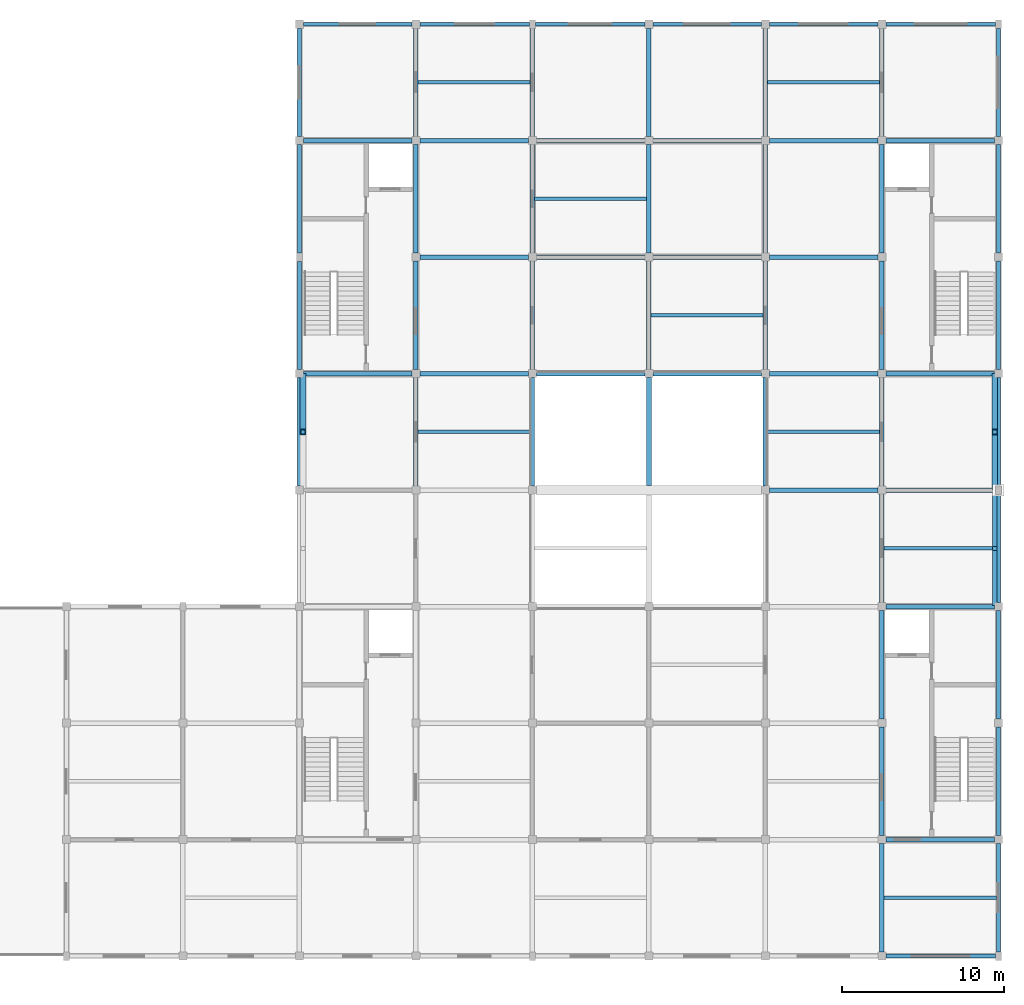
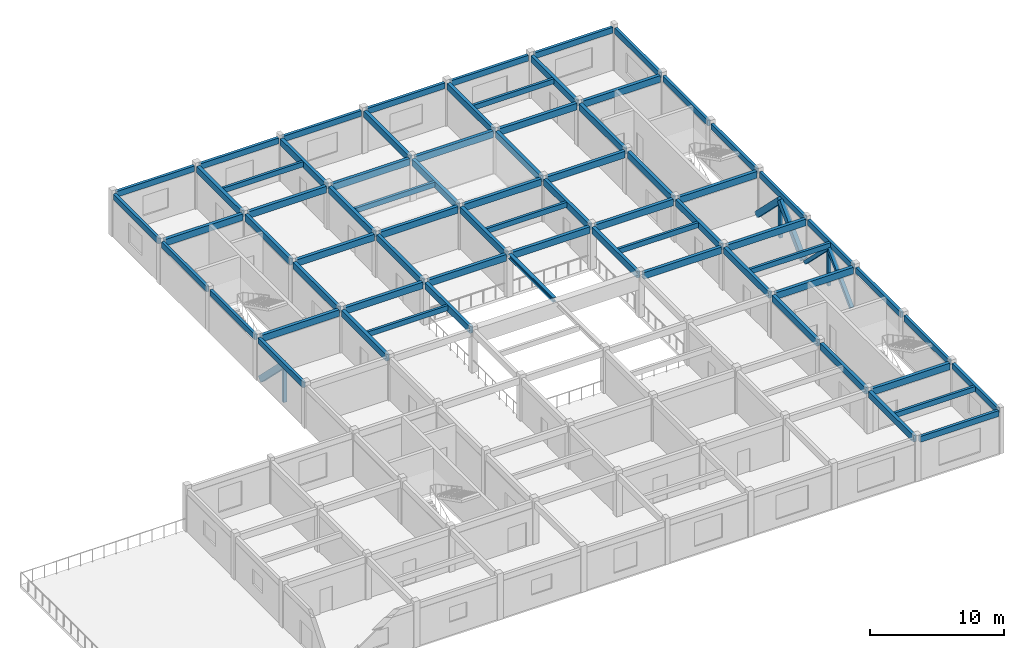
# One storey, part 2 of 7: 71 beams, 8 members.
"""IFC4 building model written with IfcOpenShell, lengths in metres."""

from ifc_helpers import new_model, si_unit, direction, frame, origin, origin_2d, place, context, subcontext, project, spatial, rectangle, i_section, extrude, material, material_profile, profile_set, type_object, element, save


model = new_model("IFC4")

# Units and contexts
model_context = context("Model", 3, precision=1e-05, world=origin(), true_north=direction((0.0, 1.0)))
body_context = subcontext(model_context, "Body", "Model", "MODEL_VIEW")
ifc_project = project(units=[si_unit("LENGTHUNIT", "METRE"), si_unit("AREAUNIT", "SQUARE_METRE"), si_unit("VOLUMEUNIT", "CUBIC_METRE"), si_unit("PLANEANGLEUNIT", "RADIAN"), si_unit("MASSUNIT", "GRAM", prefix="KILO")], contexts=[model_context])

# Site, building, storey
site_placement = place(None, origin())
site = spatial("IfcSite", under=ifc_project, at=site_placement, CompositionType="ELEMENT")
building_placement = place(site_placement, origin())
building = spatial("IfcBuilding", under=site, at=building_placement, Name="Cendaluz Park School", CompositionType="ELEMENT")
storey_placement = place(building_placement, frame((0.0, 0.0, 46.800048828125)))
storey = spatial("IfcBuildingStorey", under=building, at=storey_placement, Name="L11", CompositionType="ELEMENT", Elevation=46.800048828125)

# Beams
ifc_material_1 = material(Name="Glulam GL28h", Category="wood")
ifc_material_profile_1 = material_profile(ifc_material_1, rectangle(XDim=0.280029296875, YDim=0.60009765625, at=origin_2d()), Name="GL28h 280x600", Category="wood")
ifc_profile_set_1 = profile_set([ifc_material_profile_1], Name="Glulam GL28h")
beam_type_1 = type_object("IfcBeamType", Name="BM-GL02", PredefinedType="BEAM", material=ifc_profile_set_1)
for number, where, z_axis, x_axis, name in (
    (1, (65.050048828125, 43.199951171875, 3.58984375), (1.0, 0.0, 0.0), (0.0, 1.0, 0.0), "BM-L11-BMGL02-0013"),
    (2, (65.050048828125, 57.60009765625, 3.58984375), (1.0, 0.0, 0.0), (0.0, 1.0, 0.0), "BM-L11-BMGL02-0014"),
    (3, (72.25, 43.199951171875, 3.58984375), (1.0, 0.0, 0.0), (0.0, 1.0, 0.0), "BM-L11-BMGL02-0021"),
    (4, (72.25, 50.39990234375, 3.58984375), (1.0, 0.0, 0.0), (0.0, 1.0, 0.0), "BM-L11-BMGL02-0022"),
    (5, (72.25, 57.60009765625, 3.58984375), (1.0, 0.0, 0.0), (0.0, 1.0, 0.0), "BM-L11-BMGL02-0023"),
    (6, (79.449951171875, 43.199951171875, 3.58984375), (1.0, 0.0, 0.0), (0.0, 1.0, 0.0), "BM-L11-BMGL02-0029"),
    (7, (79.449951171875, 50.39990234375, 3.58984375), (1.0, 0.0, 0.0), (0.0, 1.0, 0.0), "BM-L11-BMGL02-0030"),
    (8, (79.449951171875, 57.60009765625, 3.58984375), (1.0, 0.0, 0.0), (0.0, 1.0, 0.0), "BM-L11-BMGL02-0031"),
):
    element("IfcBeam", number, at=place(storey_placement, frame(where, z_axis=z_axis, x_axis=x_axis)), inside=storey, type_object=beam_type_1, Name=name, PredefinedType="BEAM", context=body_context, shape_type="SweptSolid", body=[
        extrude(rectangle(XDim=0.280029296875, YDim=0.60009765625, at=origin_2d()), origin(), (0.0, 0.0, 1.0), 6.699951171875),
    ])
for number, where, z_axis, x_axis, name in (
    (9, (86.64990234375, 43.199951171875, 3.58984375), (1.0, 0.0, 0.0), (0.0, 1.0, 0.0), "BM-L11-BMGL02-0037"),
    (10, (86.64990234375, 50.39990234375, 3.58984375), (1.0, 0.0, 0.0), (0.0, 1.0, 0.0), "BM-L11-BMGL02-0038"),
    (11, (86.64990234375, 57.60009765625, 3.58984375), (1.0, 0.0, 0.0), (0.0, 1.0, 0.0), "BM-L11-BMGL02-0039"),
):
    element("IfcBeam", number, at=place(storey_placement, frame(where, z_axis=z_axis, x_axis=x_axis)), inside=storey, type_object=beam_type_1, Name=name, PredefinedType="BEAM", context=body_context, shape_type="SweptSolid", body=[
        extrude(rectangle(XDim=0.280029296875, YDim=0.60009765625, at=origin_2d()), origin(), (0.0, 0.0, 1.0), 6.7001953125),
    ])
for number, where, z_axis, x_axis, name in (
    (12, (93.85009765625, 36.0, 3.58984375), (1.0, 0.0, 0.0), (0.0, 1.0, 0.0), "BM-L11-BMGL02-0045"),
    (13, (93.85009765625, 43.199951171875, 3.58984375), (1.0, 0.0, 0.0), (0.0, 1.0, 0.0), "BM-L11-BMGL02-0046"),
    (14, (93.85009765625, 50.39990234375, 3.58984375), (1.0, 0.0, 0.0), (0.0, 1.0, 0.0), "BM-L11-BMGL02-0047"),
    (15, (93.85009765625, 57.60009765625, 3.58984375), (1.0, 0.0, 0.0), (0.0, 1.0, 0.0), "BM-L11-BMGL02-0048"),
    (16, (101.050048828125, 14.39990234375, 3.58984375), (1.0, 0.0, 0.0), (0.0, 1.0, 0.0), "BM-L11-BMGL02-0051"),
    (17, (101.050048828125, 28.800048828125, 3.58984375), (1.0, 0.0, 0.0), (0.0, 1.0, 0.0), "BM-L11-BMGL02-0052"),
):
    element("IfcBeam", number, at=place(storey_placement, frame(where, z_axis=z_axis, x_axis=x_axis)), inside=storey, type_object=beam_type_1, Name=name, PredefinedType="BEAM", context=body_context, shape_type="SweptSolid", body=[
        extrude(rectangle(XDim=0.280029296875, YDim=0.60009765625, at=origin_2d()), origin(), (0.0, 0.0, 1.0), 6.699951171875),
    ])
beam_1_placement = place(storey_placement, frame((101.050048828125, 36.0, 3.58984375), z_axis=(1.0, 0.0, 0.0), x_axis=(0.0, 1.0, 0.0)))
element("IfcBeam", 18, at=beam_1_placement, inside=storey, type_object=beam_type_1, Name="BM-L11-BMGL02-0053", PredefinedType="BEAM", context=body_context, shape_type="SweptSolid", body=[
    extrude(rectangle(XDim=0.280029296875, YDim=0.60009765625, at=origin_2d()), origin(), (0.0, 0.0, 1.0), 6.77001953125),
])
for number, where, z_axis, x_axis, name in (
    (19, (101.050048828125, 43.199951171875, 3.58984375), (1.0, 0.0, 0.0), (0.0, 1.0, 0.0), "BM-L11-BMGL02-0054"),
    (20, (101.050048828125, 57.60009765625, 3.58984375), (1.0, 0.0, 0.0), (0.0, 1.0, 0.0), "BM-L11-BMGL02-0055"),
    (21, (72.0, 36.25, 3.58984375), (0.0, 1.0, 0.0), (-1.0, 0.0, 0.0), "BM-L11-BMGL02-0075"),
    (22, (72.0, 43.449951171875, 3.58984375), (0.0, 1.0, 0.0), (-1.0, 0.0, 0.0), "BM-L11-BMGL02-0076"),
):
    element("IfcBeam", number, at=place(storey_placement, frame(where, z_axis=z_axis, x_axis=x_axis)), inside=storey, type_object=beam_type_1, Name=name, PredefinedType="BEAM", context=body_context, shape_type="SweptSolid", body=[
        extrude(rectangle(XDim=0.280029296875, YDim=0.60009765625, at=origin_2d()), origin(), (0.0, 0.0, 1.0), 6.699951171875),
    ])
beam_2_placement = place(storey_placement, frame((72.0, 50.64990234375, 3.58984375), z_axis=(0.0, 1.0, 0.0), x_axis=(-1.0, 0.0, 0.0)))
element("IfcBeam", 23, at=beam_2_placement, inside=storey, type_object=beam_type_1, Name="BM-L11-BMGL02-0077", PredefinedType="BEAM", context=body_context, shape_type="SweptSolid", body=[
    extrude(rectangle(XDim=0.280029296875, YDim=0.60009765625, at=origin_2d()), origin(), (0.0, 0.0, 1.0), 6.7001953125),
])
for number, where, z_axis, x_axis, name in (
    (24, (72.0, 57.85009765625, 3.58984375), (0.0, 1.0, 0.0), (-1.0, 0.0, 0.0), "BM-L11-BMGL02-0078"),
    (25, (79.199951171875, 36.25, 3.58984375), (0.0, 1.0, 0.0), (-1.0, 0.0, 0.0), "BM-L11-BMGL02-0083"),
    (26, (79.199951171875, 43.449951171875, 3.58984375), (0.0, 1.0, 0.0), (-1.0, 0.0, 0.0), "BM-L11-BMGL02-0084"),
):
    element("IfcBeam", number, at=place(storey_placement, frame(where, z_axis=z_axis, x_axis=x_axis)), inside=storey, type_object=beam_type_1, Name=name, PredefinedType="BEAM", context=body_context, shape_type="SweptSolid", body=[
        extrude(rectangle(XDim=0.280029296875, YDim=0.60009765625, at=origin_2d()), origin(), (0.0, 0.0, 1.0), 6.699951171875),
    ])
beam_3_placement = place(storey_placement, frame((79.199951171875, 50.64990234375, 3.58984375), z_axis=(0.0, 1.0, 0.0), x_axis=(-1.0, 0.0, 0.0)))
element("IfcBeam", 27, at=beam_3_placement, inside=storey, type_object=beam_type_1, Name="BM-L11-BMGL02-0085", PredefinedType="BEAM", context=body_context, shape_type="SweptSolid", body=[
    extrude(rectangle(XDim=0.280029296875, YDim=0.60009765625, at=origin_2d()), origin(), (0.0, 0.0, 1.0), 6.7001953125),
])
beam_4_placement = place(storey_placement, frame((79.199951171875, 57.85009765625, 3.58984375), z_axis=(0.0, 1.0, 0.0), x_axis=(-1.0, 0.0, 0.0)))
element("IfcBeam", 28, at=beam_4_placement, inside=storey, type_object=beam_type_1, Name="BM-L11-BMGL02-0086", PredefinedType="BEAM", context=body_context, shape_type="SweptSolid", body=[
    extrude(rectangle(XDim=0.280029296875, YDim=0.60009765625, at=origin_2d()), origin(), (0.0, 0.0, 1.0), 6.68994140625),
])
beam_5_placement = place(storey_placement, frame((86.39990234375, 43.449951171875, 3.58984375), z_axis=(0.0, 1.0, 0.0), x_axis=(-1.0, 0.0, 0.0)))
element("IfcBeam", 29, at=beam_5_placement, inside=storey, type_object=beam_type_1, Name="BM-L11-BMGL02-0090", PredefinedType="BEAM", context=body_context, shape_type="SweptSolid", body=[
    extrude(rectangle(XDim=0.280029296875, YDim=0.60009765625, at=origin_2d()), origin(), (0.0, 0.0, 1.0), 6.699951171875),
])
beam_6_placement = place(storey_placement, frame((86.39990234375, 50.64990234375, 3.58984375), z_axis=(0.0, 1.0, 0.0), x_axis=(-1.0, 0.0, 0.0)))
element("IfcBeam", 30, at=beam_6_placement, inside=storey, type_object=beam_type_1, Name="BM-L11-BMGL02-0091", PredefinedType="BEAM", context=body_context, shape_type="SweptSolid", body=[
    extrude(rectangle(XDim=0.280029296875, YDim=0.60009765625, at=origin_2d()), origin(), (0.0, 0.0, 1.0), 6.7001953125),
])
for number, where, z_axis, x_axis, name in (
    (31, (86.39990234375, 57.85009765625, 3.58984375), (0.0, 1.0, 0.0), (-1.0, 0.0, 0.0), "BM-L11-BMGL02-0092"),
    (32, (93.60009765625, 36.25, 3.58984375), (0.0, 1.0, 0.0), (-1.0, 0.0, 0.0), "BM-L11-BMGL02-0097"),
    (33, (93.60009765625, 43.449951171875, 3.58984375), (0.0, 1.0, 0.0), (-1.0, 0.0, 0.0), "BM-L11-BMGL02-0098"),
):
    element("IfcBeam", number, at=place(storey_placement, frame(where, z_axis=z_axis, x_axis=x_axis)), inside=storey, type_object=beam_type_1, Name=name, PredefinedType="BEAM", context=body_context, shape_type="SweptSolid", body=[
        extrude(rectangle(XDim=0.280029296875, YDim=0.60009765625, at=origin_2d()), origin(), (0.0, 0.0, 1.0), 6.699951171875),
    ])
beam_7_placement = place(storey_placement, frame((93.60009765625, 50.64990234375, 3.58984375), z_axis=(0.0, 1.0, 0.0), x_axis=(-1.0, 0.0, 0.0)))
element("IfcBeam", 34, at=beam_7_placement, inside=storey, type_object=beam_type_1, Name="BM-L11-BMGL02-0099", PredefinedType="BEAM", context=body_context, shape_type="SweptSolid", body=[
    extrude(rectangle(XDim=0.280029296875, YDim=0.60009765625, at=origin_2d()), origin(), (0.0, 0.0, 1.0), 6.7001953125),
])
for number, where, z_axis, x_axis, name in (
    (35, (93.60009765625, 57.85009765625, 3.58984375), (0.0, 1.0, 0.0), (-1.0, 0.0, 0.0), "BM-L11-BMGL02-0100"),
    (36, (100.800048828125, 7.449951171875, 3.58984375), (0.0, 1.0, 0.0), (-1.0, 0.0, 0.0), "BM-L11-BMGL02-0101"),
):
    element("IfcBeam", number, at=place(storey_placement, frame(where, z_axis=z_axis, x_axis=x_axis)), inside=storey, type_object=beam_type_1, Name=name, PredefinedType="BEAM", context=body_context, shape_type="SweptSolid", body=[
        extrude(rectangle(XDim=0.280029296875, YDim=0.60009765625, at=origin_2d()), origin(), (0.0, 0.0, 1.0), 6.699951171875),
    ])
beam_8_placement = place(storey_placement, frame((100.800048828125, 14.64990234375, 3.58984375), z_axis=(0.0, 1.0, 0.0), x_axis=(-1.0, 0.0, 0.0)))
element("IfcBeam", 37, at=beam_8_placement, inside=storey, type_object=beam_type_1, Name="BM-L11-BMGL02-0102", PredefinedType="BEAM", context=body_context, shape_type="SweptSolid", body=[
    extrude(rectangle(XDim=0.280029296875, YDim=0.60009765625, at=origin_2d()), origin(), (0.0, 0.0, 1.0), 6.7001953125),
])
for number, where, z_axis, x_axis, name in (
    (38, (100.800048828125, 21.85009765625, 3.58984375), (0.0, 1.0, 0.0), (-1.0, 0.0, 0.0), "BM-L11-BMGL02-0103"),
    (39, (100.800048828125, 29.050048828125, 3.58984375), (0.0, 1.0, 0.0), (-1.0, 0.0, 0.0), "BM-L11-BMGL02-0104"),
    (40, (100.800048828125, 36.25, 3.58984375), (0.0, 1.0, 0.0), (-1.0, 0.0, 0.0), "BM-L11-BMGL02-0105"),
    (41, (100.800048828125, 43.449951171875, 3.58984375), (0.0, 1.0, 0.0), (-1.0, 0.0, 0.0), "BM-L11-BMGL02-0106"),
):
    element("IfcBeam", number, at=place(storey_placement, frame(where, z_axis=z_axis, x_axis=x_axis)), inside=storey, type_object=beam_type_1, Name=name, PredefinedType="BEAM", context=body_context, shape_type="SweptSolid", body=[
        extrude(rectangle(XDim=0.280029296875, YDim=0.60009765625, at=origin_2d()), origin(), (0.0, 0.0, 1.0), 6.699951171875),
    ])
beam_9_placement = place(storey_placement, frame((100.800048828125, 50.64990234375, 3.58984375), z_axis=(0.0, 1.0, 0.0), x_axis=(-1.0, 0.0, 0.0)))
element("IfcBeam", 42, at=beam_9_placement, inside=storey, type_object=beam_type_1, Name="BM-L11-BMGL02-0107", PredefinedType="BEAM", context=body_context, shape_type="SweptSolid", body=[
    extrude(rectangle(XDim=0.280029296875, YDim=0.60009765625, at=origin_2d()), origin(), (0.0, 0.0, 1.0), 6.7001953125),
])
beam_10_placement = place(storey_placement, frame((100.800048828125, 57.85009765625, 3.58984375), z_axis=(0.0, 1.0, 0.0), x_axis=(-1.0, 0.0, 0.0)))
element("IfcBeam", 43, at=beam_10_placement, inside=storey, type_object=beam_type_1, Name="BM-L11-BMGL02-0108", PredefinedType="BEAM", context=body_context, shape_type="SweptSolid", body=[
    extrude(rectangle(XDim=0.280029296875, YDim=0.60009765625, at=origin_2d()), origin(), (0.0, 0.0, 1.0), 6.699951171875),
])
ifc_material_profile_2 = material_profile(ifc_material_1, rectangle(XDim=0.239990234375, YDim=0.52001953125, at=origin_2d()), Name="GL28h 240x520", Category="wood")
ifc_profile_set_2 = profile_set([ifc_material_profile_2], Name="Glulam GL28h")
beam_type_2 = type_object("IfcBeamType", Name="BM-GL03", PredefinedType="SPANDREL", material=ifc_profile_set_2)
beam_11_placement = place(storey_placement, frame((65.050048828125, 64.800048828125, 3.6298828125), z_axis=(1.0, 0.0, 0.0), x_axis=(0.0, 1.0, 0.0)))
element("IfcBeam", 44, at=beam_11_placement, inside=storey, type_object=beam_type_2, Name="BM-L11-BMGL03-0015", PredefinedType="SPANDREL", context=body_context, shape_type="SweptSolid", body=[
    extrude(rectangle(XDim=0.239990234375, YDim=0.52001953125, at=origin_2d()), origin(), (0.0, 0.0, 1.0), 6.699951171875),
])
for number, where, z_axis, x_axis, name in (
    (45, (72.25, 64.800048828125, 3.6298828125), (1.0, 0.0, 0.0), (0.0, 1.0, 0.0), "BM-L11-BMGL03-0024"),
    (46, (79.3798828125, 64.800048828125, 3.6298828125), (1.0, 0.0, 0.0), (0.0, 1.0, 0.0), "BM-L11-BMGL03-0032"),
):
    element("IfcBeam", number, at=place(storey_placement, frame(where, z_axis=z_axis, x_axis=x_axis)), inside=storey, type_object=beam_type_2, Name=name, PredefinedType="SPANDREL", context=body_context, shape_type="SweptSolid", body=[
        extrude(rectangle(XDim=0.239990234375, YDim=0.52001953125, at=origin_2d()), origin(), (0.0, 0.0, 1.0), 6.77001953125),
    ])
beam_12_placement = place(storey_placement, frame((86.64990234375, 64.800048828125, 3.6298828125), z_axis=(1.0, 0.0, 0.0), x_axis=(0.0, 1.0, 0.0)))
element("IfcBeam", 47, at=beam_12_placement, inside=storey, type_object=beam_type_2, Name="BM-L11-BMGL03-0040", PredefinedType="SPANDREL", context=body_context, shape_type="SweptSolid", body=[
    extrude(rectangle(XDim=0.239990234375, YDim=0.52001953125, at=origin_2d()), origin(), (0.0, 0.0, 1.0), 6.7001953125),
])
beam_13_placement = place(storey_placement, frame((93.85009765625, 64.800048828125, 3.6298828125), z_axis=(1.0, 0.0, 0.0), x_axis=(0.0, 1.0, 0.0)))
element("IfcBeam", 48, at=beam_13_placement, inside=storey, type_object=beam_type_2, Name="BM-L11-BMGL03-0049", PredefinedType="SPANDREL", context=body_context, shape_type="SweptSolid", body=[
    extrude(rectangle(XDim=0.239990234375, YDim=0.52001953125, at=origin_2d()), origin(), (0.0, 0.0, 1.0), 6.699951171875),
])
for number, where, z_axis, x_axis, name in (
    (49, (101.050048828125, 7.199951171875, 3.6298828125), (1.0, 0.0, 0.0), (0.0, 1.0, 0.0), "BM-L11-BMGL03-0050"),
    (50, (101.050048828125, 64.800048828125, 3.6298828125), (1.0, 0.0, 0.0), (0.0, 1.0, 0.0), "BM-L11-BMGL03-0056"),
):
    element("IfcBeam", number, at=place(storey_placement, frame(where, z_axis=z_axis, x_axis=x_axis)), inside=storey, type_object=beam_type_2, Name=name, PredefinedType="SPANDREL", context=body_context, shape_type="SweptSolid", body=[
        extrude(rectangle(XDim=0.239990234375, YDim=0.52001953125, at=origin_2d()), origin(), (0.0, 0.0, 1.0), 6.77001953125),
    ])
beam_14_placement = place(storey_placement, frame((64.800048828125, 36.25, 3.6298828125), z_axis=(0.0, 1.0, 0.0), x_axis=(-1.0, 0.0, 0.0)))
element("IfcBeam", 51, at=beam_14_placement, inside=storey, type_object=beam_type_2, Name="BM-L11-BMGL03-0067", PredefinedType="SPANDREL", context=body_context, shape_type="SweptSolid", body=[
    extrude(rectangle(XDim=0.239990234375, YDim=0.52001953125, at=origin_2d()), origin(), (0.0, 0.0, 1.0), 6.699951171875),
])
beam_15_placement = place(storey_placement, frame((64.800048828125, 43.449951171875, 3.6298828125), z_axis=(0.0, 1.0, 0.0), x_axis=(-1.0, 0.0, 0.0)))
element("IfcBeam", 52, at=beam_15_placement, inside=storey, type_object=beam_type_2, Name="BM-L11-BMGL03-0068", PredefinedType="SPANDREL", context=body_context, shape_type="SweptSolid", body=[
    extrude(rectangle(XDim=0.239990234375, YDim=0.52001953125, at=origin_2d()), origin(), (0.0, 0.0, 1.0), 6.68994140625),
])
beam_16_placement = place(storey_placement, frame((64.800048828125, 50.659912109375, 3.6298828125), z_axis=(0.0, 1.0, 0.0), x_axis=(-1.0, 0.0, 0.0)))
element("IfcBeam", 53, at=beam_16_placement, inside=storey, type_object=beam_type_2, Name="BM-L11-BMGL03-0069", PredefinedType="SPANDREL", context=body_context, shape_type="SweptSolid", body=[
    extrude(rectangle(XDim=0.239990234375, YDim=0.52001953125, at=origin_2d()), origin(), (0.0, 0.0, 1.0), 6.690185546875),
])
beam_17_placement = place(storey_placement, frame((64.800048828125, 57.85009765625, 3.6298828125), z_axis=(0.0, 1.0, 0.0), x_axis=(-1.0, 0.0, 0.0)))
element("IfcBeam", 54, at=beam_17_placement, inside=storey, type_object=beam_type_2, Name="BM-L11-BMGL03-0070", PredefinedType="SPANDREL", context=body_context, shape_type="SweptSolid", body=[
    extrude(rectangle(XDim=0.239990234375, YDim=0.52001953125, at=origin_2d()), origin(), (0.0, 0.0, 1.0), 6.699951171875),
])
beam_18_placement = place(storey_placement, frame((108.0, 7.4599609375, 3.6298828125), z_axis=(0.0, 1.0, 0.0), x_axis=(-1.0, 0.0, 0.0)))
element("IfcBeam", 55, at=beam_18_placement, inside=storey, type_object=beam_type_2, Name="BM-L11-BMGL03-0109", PredefinedType="SPANDREL", context=body_context, shape_type="SweptSolid", body=[
    extrude(rectangle(XDim=0.239990234375, YDim=0.52001953125, at=origin_2d()), origin(), (0.0, 0.0, 1.0), 6.68994140625),
])
beam_19_placement = place(storey_placement, frame((108.0, 14.64990234375, 3.6298828125), z_axis=(0.0, 1.0, 0.0), x_axis=(-1.0, 0.0, 0.0)))
element("IfcBeam", 56, at=beam_19_placement, inside=storey, type_object=beam_type_2, Name="BM-L11-BMGL03-0110", PredefinedType="SPANDREL", context=body_context, shape_type="SweptSolid", body=[
    extrude(rectangle(XDim=0.239990234375, YDim=0.52001953125, at=origin_2d()), origin(), (0.0, 0.0, 1.0), 6.7001953125),
])
beam_20_placement = place(storey_placement, frame((108.0, 21.85009765625, 3.6298828125), z_axis=(0.0, 1.0, 0.0), x_axis=(-1.0, 0.0, 0.0)))
element("IfcBeam", 57, at=beam_20_placement, inside=storey, type_object=beam_type_2, Name="BM-L11-BMGL03-0111", PredefinedType="SPANDREL", context=body_context, shape_type="SweptSolid", body=[
    extrude(rectangle(XDim=0.239990234375, YDim=0.52001953125, at=origin_2d()), origin(), (0.0, 0.0, 1.0), 6.699951171875),
])
for number, where, z_axis, x_axis, name in (
    (58, (108.0, 29.050048828125, 3.6298828125), (0.0, 1.0, 0.0), (-1.0, 0.0, 0.0), "BM-L11-BMGL03-0112"),
    (59, (108.0, 36.260009765625, 3.6298828125), (0.0, 1.0, 0.0), (-1.0, 0.0, 0.0), "BM-L11-BMGL03-0113"),
):
    element("IfcBeam", number, at=place(storey_placement, frame(where, z_axis=z_axis, x_axis=x_axis)), inside=storey, type_object=beam_type_2, Name=name, PredefinedType="SPANDREL", context=body_context, shape_type="SweptSolid", body=[
        extrude(rectangle(XDim=0.239990234375, YDim=0.52001953125, at=origin_2d()), origin(), (0.0, 0.0, 1.0), 6.68994140625),
    ])
beam_21_placement = place(storey_placement, frame((108.0, 43.449951171875, 3.6298828125), z_axis=(0.0, 1.0, 0.0), x_axis=(-1.0, 0.0, 0.0)))
element("IfcBeam", 60, at=beam_21_placement, inside=storey, type_object=beam_type_2, Name="BM-L11-BMGL03-0114", PredefinedType="SPANDREL", context=body_context, shape_type="SweptSolid", body=[
    extrude(rectangle(XDim=0.239990234375, YDim=0.52001953125, at=origin_2d()), origin(), (0.0, 0.0, 1.0), 6.699951171875),
])
beam_22_placement = place(storey_placement, frame((108.0, 50.64990234375, 3.6298828125), z_axis=(0.0, 1.0, 0.0), x_axis=(-1.0, 0.0, 0.0)))
element("IfcBeam", 61, at=beam_22_placement, inside=storey, type_object=beam_type_2, Name="BM-L11-BMGL03-0115", PredefinedType="SPANDREL", context=body_context, shape_type="SweptSolid", body=[
    extrude(rectangle(XDim=0.239990234375, YDim=0.52001953125, at=origin_2d()), origin(), (0.0, 0.0, 1.0), 6.7001953125),
])
beam_23_placement = place(storey_placement, frame((108.0, 57.85009765625, 3.6298828125), z_axis=(0.0, 1.0, 0.0), x_axis=(-1.0, 0.0, 0.0)))
element("IfcBeam", 62, at=beam_23_placement, inside=storey, type_object=beam_type_2, Name="BM-L11-BMGL03-0116", PredefinedType="SPANDREL", context=body_context, shape_type="SweptSolid", body=[
    extrude(rectangle(XDim=0.239990234375, YDim=0.52001953125, at=origin_2d()), origin(), (0.0, 0.0, 1.0), 6.68994140625),
])
ifc_material_2 = material(Name="Steel S355", Category="steel")
ifc_material_profile_3 = material_profile(ifc_material_2, i_section(OverallWidth=0.300048828125, OverallDepth=0.39990234375, WebThickness=0.013916015625, FlangeThickness=0.02392578125, FilletRadius=0.027099609375, at=origin_2d()), Name="HEB 400", Category="steel")
ifc_profile_set_3 = profile_set([ifc_material_profile_3], Name="Steel S355")
beam_type_3 = type_object("IfcBeamType", Name="BM-ST02", PredefinedType="BEAM", material=ifc_profile_set_3)
beam_24_placement = place(storey_placement, frame((86.39990234375, 36.300048828125, 3.77001953125), z_axis=(0.0, 1.0, 0.0), x_axis=(-1.0, 0.0, 0.0)))
element("IfcBeam", 63, at=beam_24_placement, inside=storey, type_object=beam_type_3, Name="BM-L11-BMST02-0119", PredefinedType="BEAM", context=body_context, shape_type="SweptSolid", body=[
    extrude(i_section(OverallWidth=0.300048828125, OverallDepth=0.39990234375, WebThickness=0.013916015625, FlangeThickness=0.02392578125, FilletRadius=0.027099609375, at=origin_2d()), origin(), (0.0, 0.0, 1.0), 6.64990234375),
])
ifc_material_profile_4 = material_profile(ifc_material_1, rectangle(XDim=0.219970703125, YDim=0.4599609375, at=origin_2d()), Name="GL28h 220x460", Category="wood")
ifc_profile_set_4 = profile_set([ifc_material_profile_4], Name="Glulam GL28h")
beam_type_4 = type_object("IfcBeamType", Name="JT-GL01", PredefinedType="JOIST", material=ifc_profile_set_4)
for number, where, z_axis, x_axis, name in (
    (64, (72.139892578125, 39.60009765625, 3.659912109375), (1.0, 0.0, 0.0), (0.0, 1.0, 0.0), "BM-L11-JTGL01-0123"),
    (65, (72.139892578125, 61.199951171875, 3.659912109375), (1.0, 0.0, 0.0), (0.0, 1.0, 0.0), "BM-L11-JTGL01-0124"),
):
    element("IfcBeam", number, at=place(storey_placement, frame(where, z_axis=z_axis, x_axis=x_axis)), inside=storey, type_object=beam_type_4, Name=name, PredefinedType="JOIST", context=body_context, shape_type="SweptSolid", body=[
        extrude(rectangle(XDim=0.219970703125, YDim=0.4599609375, at=origin_2d()), origin(), (0.0, 0.0, 1.0), 6.920166015625),
    ])
for number, where, z_axis, x_axis, name in (
    (66, (79.340087890625, 54.0, 3.659912109375), (1.0, 0.0, 0.0), (0.0, 1.0, 0.0), "BM-L11-JTGL01-0127"),
    (67, (86.5400390625, 46.800048828125, 3.659912109375), (1.0, 0.0, 0.0), (0.0, 1.0, 0.0), "BM-L11-JTGL01-0129"),
    (68, (93.739990234375, 39.60009765625, 3.659912109375), (1.0, 0.0, 0.0), (0.0, 1.0, 0.0), "BM-L11-JTGL01-0131"),
    (69, (93.739990234375, 61.199951171875, 3.659912109375), (1.0, 0.0, 0.0), (0.0, 1.0, 0.0), "BM-L11-JTGL01-0132"),
):
    element("IfcBeam", number, at=place(storey_placement, frame(where, z_axis=z_axis, x_axis=x_axis)), inside=storey, type_object=beam_type_4, Name=name, PredefinedType="JOIST", context=body_context, shape_type="SweptSolid", body=[
        extrude(rectangle(XDim=0.219970703125, YDim=0.4599609375, at=origin_2d()), origin(), (0.0, 0.0, 1.0), 6.919921875),
    ])
for number, where, z_axis, x_axis, name in (
    (70, (100.93994140625, 10.800048828125, 3.659912109375), (1.0, 0.0, 0.0), (0.0, 1.0, 0.0), "BM-L11-JTGL01-0133"),
    (71, (100.93994140625, 32.39990234375, 3.659912109375), (1.0, 0.0, 0.0), (0.0, 1.0, 0.0), "BM-L11-JTGL01-0134"),
):
    element("IfcBeam", number, at=place(storey_placement, frame(where, z_axis=z_axis, x_axis=x_axis)), inside=storey, type_object=beam_type_4, Name=name, PredefinedType="JOIST", context=body_context, shape_type="SweptSolid", body=[
        extrude(rectangle(XDim=0.219970703125, YDim=0.4599609375, at=origin_2d()), origin(), (0.0, 0.0, 1.0), 6.93994140625),
    ])

# Members
ifc_material_3 = material(Name="Glulam GL32h", Category="wood")
ifc_material_profile_5 = material_profile(ifc_material_3, rectangle(XDim=0.300048828125, YDim=0.300048828125, at=origin_2d()), Name="GL32h 300x300", Category="wood")
ifc_profile_set_5 = profile_set([ifc_material_profile_5], Name="Glulam GL32h")
member_type_1 = type_object("IfcMemberType", Name="MBR-03", PredefinedType="BRACE", material=ifc_profile_set_5)
for number, where, z_axis, x_axis, name in (
    (72, (107.780029296875, 28.97998046875, 0.0), (0.0, 0.710218010741, 0.703981801767), (-1.0, 0.0, 0.0), "MB-L11-MBBR03-0004"),
    (73, (107.780029296875, 35.820068359375, 0.0), (0.0, -0.710243136256, 0.703956452774), (1.0, 0.0, 0.0), "MB-L11-MBBR03-0005"),
):
    element("IfcMember", number, at=place(storey_placement, frame(where, z_axis=z_axis, x_axis=x_axis)), inside=storey, type_object=member_type_1, Name=name, PredefinedType="BRACE", context=body_context, shape_type="SweptSolid", body=[
        extrude(rectangle(XDim=0.300048828125, YDim=0.300048828125, at=origin_2d()), origin(), (0.0, 0.0, 1.0), 4.8154296875),
    ])
ifc_material_profile_6 = material_profile(ifc_material_3, rectangle(XDim=0.360107421875, YDim=0.52001953125, at=origin_2d()), Name="GL32h 360x520", Category="wood")
ifc_profile_set_6 = profile_set([ifc_material_profile_6], Name="Glulam GL32h")
member_type_2 = type_object("IfcMemberType", Name="MBR-04", PredefinedType="BRACE", material=ifc_profile_set_6)
for number, where, z_axis, x_axis, name in (
    (74, (65.02001953125, 43.02001953125, 0.0), (0.0, -0.710218010741, 0.703981801767), (1.0, 0.0, 0.0), "MB-L11-MBBR04-0008"),
    (75, (107.780029296875, 36.179931640625, 0.0), (0.0, 0.710243136256, 0.703956452774), (-1.0, 0.0, 0.0), "MB-L11-MBBR04-0010"),
    (76, (107.780029296875, 43.02001953125, 0.0), (0.0, -0.710218010741, 0.703981801767), (1.0, 0.0, 0.0), "MB-L11-MBBR04-0011"),
):
    element("IfcMember", number, at=place(storey_placement, frame(where, z_axis=z_axis, x_axis=x_axis)), inside=storey, type_object=member_type_2, Name=name, PredefinedType="BRACE", context=body_context, shape_type="SweptSolid", body=[
        extrude(rectangle(XDim=0.360107421875, YDim=0.52001953125, at=origin_2d()), origin(), (0.0, 0.0, 1.0), 4.8154296875),
    ])
ifc_material_profile_7 = material_profile(ifc_material_3, rectangle(XDim=0.260009765625, YDim=0.260009765625, at=origin_2d()), Name="GL32h 260x260", Category="wood")
ifc_profile_set_7 = profile_set([ifc_material_profile_7], Name="Glulam GL32h")
member_type_3 = type_object("IfcMemberType", Name="MST-03", PredefinedType="STRUT", material=ifc_profile_set_7)
for number, where, z_axis, x_axis, name in (
    (77, (107.780029296875, 32.39990234375, 0.0), (0.0, 0.0, 1.0), (1.0, 0.0, 0.0), "MB-L11-MBST03-0006"),
    (78, (65.02001953125, 39.60009765625, 0.0), (0.0, 0.0, 1.0), (1.0, 0.0, 0.0), "MB-L11-MBST03-0009"),
    (79, (107.780029296875, 39.60009765625, 0.0), (0.0, 0.0, 1.0), (1.0, 0.0, 0.0), "MB-L11-MBST03-0012"),
):
    element("IfcMember", number, at=place(storey_placement, frame(where, z_axis=z_axis, x_axis=x_axis)), inside=storey, type_object=member_type_3, Name=name, PredefinedType="STRUT", context=body_context, shape_type="SweptSolid", body=[
        extrude(rectangle(XDim=0.260009765625, YDim=0.260009765625, at=origin_2d()), origin(), (0.0, 0.0, 1.0), 3.389892578125),
    ])

save(model, "model.ifc")
